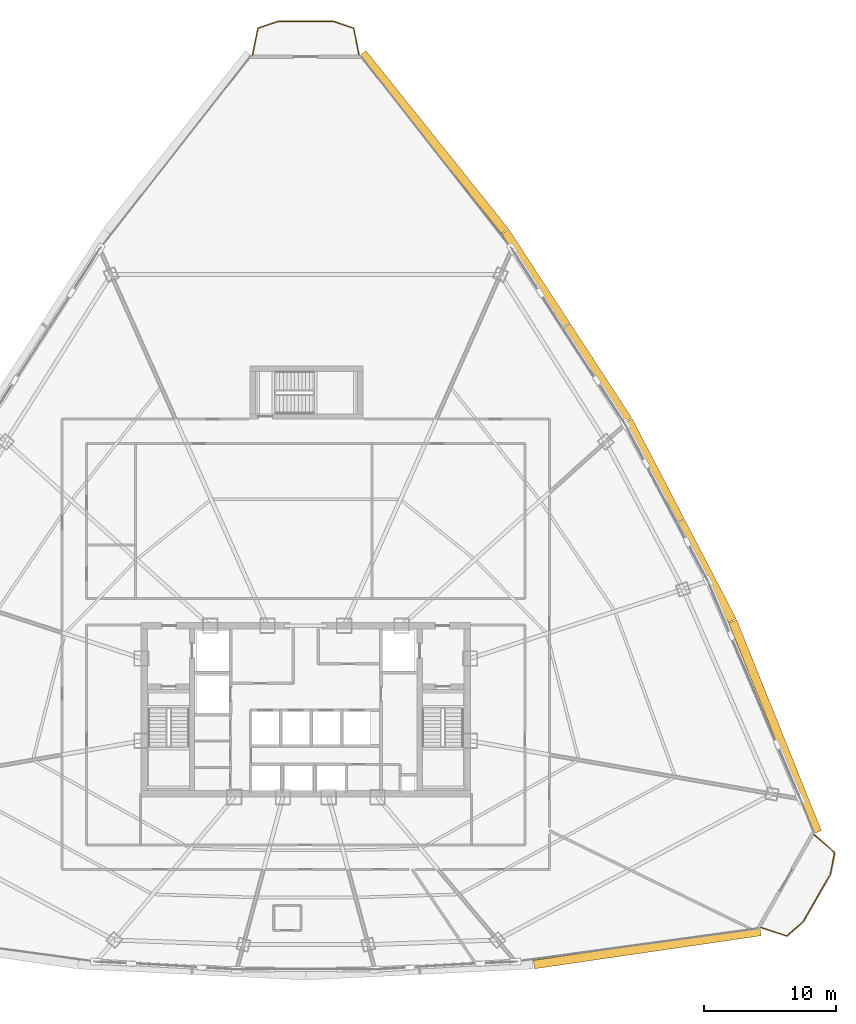
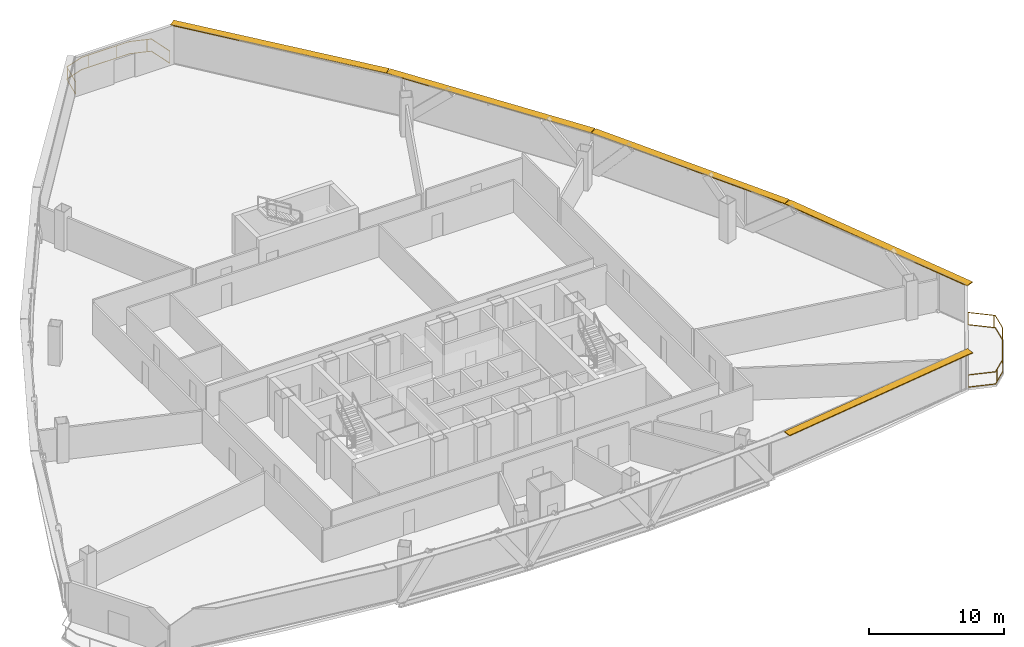
# One storey, part 37 of 37: 5 shading devices, 2 railings.
"""IFC4 building model written with IfcOpenShell, lengths in metres."""

from ifc_helpers import new_model, si_unit, direction, frame, origin, origin_2d, place, context, subcontext, project, spatial, rectangle, extrude, source, transform, mapped, material, layer, layer_set, type_object, element, save


model = new_model("IFC4")

# Units and contexts
model_context = context("Model", 3, precision=1e-05, world=origin(), true_north=direction((0.0, 1.0)))
body_context = subcontext(model_context, "Body", "Model", "MODEL_VIEW")
ifc_project = project(units=[si_unit("LENGTHUNIT", "METRE"), si_unit("AREAUNIT", "SQUARE_METRE"), si_unit("VOLUMEUNIT", "CUBIC_METRE"), si_unit("PLANEANGLEUNIT", "RADIAN"), si_unit("MASSUNIT", "GRAM", prefix="KILO"), si_unit("THERMODYNAMICTEMPERATUREUNIT", "KELVIN"), si_unit("POWERUNIT", "WATT")], contexts=[model_context])

# Site, building, storey
site_placement = place(None, origin())
site = spatial("IfcSite", under=ifc_project, at=site_placement, CompositionType="ELEMENT")
building_placement = place(site_placement, origin())
building = spatial("IfcBuilding", under=site, at=building_placement, Name="Yunzhuo Pagoda Commons", CompositionType="ELEMENT")
storey_placement = place(building_placement, frame((0.0, 0.0, 192.360107421875)))
storey = spatial("IfcBuildingStorey", under=building, at=storey_placement, Name="L48", CompositionType="ELEMENT", Elevation=192.360107421875)

# Railings
ifc_material = material(Name="Anodized aluminium 6063-T6", Category="aluminium")
railing_type = type_object("IfcRailingType", Name="RL-BAL1 Exterior Terrace & Balcony Balustrade 1150", PredefinedType="BALUSTRADE", material=ifc_material)
railing_1_placement = place(storey_placement, frame((82.3671875, 17.419677734375, 0.0)))
element("IfcRailing", 1, at=railing_1_placement, inside=storey, type_object=railing_type, Name="L48 corner balcony balustrade V2", PredefinedType="BALUSTRADE", context=body_context, shape_type="SweptSolid", body=[
    extrude(rectangle(XDim=0.048095703125, YDim=0.048095703125, at=origin_2d()), frame((0.0, 0.0, 1.1259765625), z_axis=(0.947419062147, -0.319995501031, 0.0), x_axis=(0.319995501031, 0.947419062147, 0.0)), (0.0, 0.0, 1.0), 2.05908203125),
    extrude(rectangle(XDim=0.048095703125, YDim=0.048095703125, at=origin_2d()), frame((0.0, 0.0, 0.02392578125), z_axis=(0.947419062147, -0.319995501031, 0.0), x_axis=(0.319995501031, 0.947419062147, 0.0)), (0.0, 0.0, 1.0), 2.05908203125),
    extrude(rectangle(XDim=0.048095703125, YDim=0.048095703125, at=origin_2d()), frame((1.950927734375, -0.658935546875, 1.1259765625), z_axis=(0.748072290348, 0.663617245416, 0.0), x_axis=(-0.663617245416, 0.748072290348, 0.0)), (0.0, 0.0, 1.0), 1.6650390625),
    extrude(rectangle(XDim=0.048095703125, YDim=0.048095703125, at=origin_2d()), frame((1.950927734375, -0.658935546875, 0.02392578125), z_axis=(0.748072290348, 0.663617245416, 0.0), x_axis=(-0.663617245416, 0.748072290348, 0.0)), (0.0, 0.0, 1.0), 1.6650390625),
    extrude(rectangle(XDim=0.048095703125, YDim=0.048095703125, at=origin_2d()), frame((3.196533203125, 0.446044921875, 1.1259765625), z_axis=(0.497919550018, 0.867223224844, 0.0), x_axis=(-0.867223224844, 0.497919550018, 0.0)), (0.0, 0.0, 1.0), 4.1171875),
    extrude(rectangle(XDim=0.048095703125, YDim=0.048095703125, at=origin_2d()), frame((3.196533203125, 0.446044921875, 0.02392578125), z_axis=(0.497919550018, 0.867223224844, 0.0), x_axis=(-0.867223224844, 0.497919550018, 0.0)), (0.0, 0.0, 1.0), 4.1171875),
    extrude(rectangle(XDim=0.048095703125, YDim=0.048095703125, at=origin_2d()), frame((5.24658203125, 4.0166015625, 1.1259765625), z_axis=(0.196031545686, 0.980597589787, 0.0), x_axis=(-0.980597589787, 0.196031545686, 0.0)), (0.0, 0.0, 1.0), 1.6650390625),
    extrude(rectangle(XDim=0.048095703125, YDim=0.048095703125, at=origin_2d()), frame((5.24658203125, 4.0166015625, 0.02392578125), z_axis=(0.196031545686, 0.980597589787, 0.0), x_axis=(-0.980597589787, 0.196031545686, 0.0)), (0.0, 0.0, 1.0), 1.6650390625),
    extrude(rectangle(XDim=0.048095703125, YDim=0.048095703125, at=origin_2d()), frame((5.572998046875, 5.6494140625, 1.1259765625), z_axis=(-0.753933830692, 0.656950362614, 0.0), x_axis=(-0.656950362614, -0.753933830692, 0.0)), (0.0, 0.0, 1.0), 2.05908203125),
    extrude(rectangle(XDim=0.048095703125, YDim=0.048095703125, at=origin_2d()), frame((5.572998046875, 5.6494140625, 0.02392578125), z_axis=(-0.753933830692, 0.656950362614, 0.0), x_axis=(-0.656950362614, -0.753933830692, 0.0)), (0.0, 0.0, 1.0), 2.05908203125),
    extrude(rectangle(XDim=0.0419921875, YDim=0.0419921875, at=origin_2d()), origin(), (0.0, 0.0, 1.0), 1.101806640625),
    extrude(rectangle(XDim=0.0419921875, YDim=0.0419921875, at=origin_2d()), frame((2.205810546875, -0.432861328125, 0.0)), (0.0, 0.0, 1.0), 1.101806640625),
    extrude(rectangle(XDim=0.0419921875, YDim=0.0419921875, at=origin_2d()), frame((3.732177734375, 1.37890625, 0.0)), (0.0, 0.0, 1.0), 1.101806640625),
    extrude(rectangle(XDim=0.0419921875, YDim=0.0419921875, at=origin_2d()), frame((4.92724609375, 3.460205078125, 0.0)), (0.0, 0.0, 1.0), 1.101806640625),
    extrude(rectangle(XDim=0.0419921875, YDim=0.0419921875, at=origin_2d()), frame((5.502685546875, 5.710693359375, 0.0)), (0.0, 0.0, 1.0), 1.101806640625),
    extrude(rectangle(XDim=0.0419921875, YDim=0.0419921875, at=origin_2d()), frame((4.0205078125, 7.002197265625, 0.0)), (0.0, 0.0, 1.0), 1.101806640625),
])
railing_2_placement = place(storey_placement, frame((52.02001953125, 83.297607421875, 0.0)))
element("IfcRailing", 2, at=railing_2_placement, inside=storey, type_object=railing_type, Name="L48 corner balcony balustrade V3", PredefinedType="BALUSTRADE", context=body_context, shape_type="SweptSolid", body=[
    extrude(rectangle(XDim=0.048095703125, YDim=0.048095703125, at=origin_2d()), frame((0.0, 0.0, 1.1259765625), z_axis=(-0.194223156668, 0.980957371864, 0.0), x_axis=(-0.980957371864, -0.194223156668, 0.0)), (0.0, 0.0, 1.0), 2.05908203125),
    extrude(rectangle(XDim=0.048095703125, YDim=0.048095703125, at=origin_2d()), frame((0.0, 0.0, 0.02392578125), z_axis=(-0.194223156668, 0.980957371864, 0.0), x_axis=(-0.980957371864, -0.194223156668, 0.0)), (0.0, 0.0, 1.0), 2.05908203125),
    extrude(rectangle(XDim=0.048095703125, YDim=0.048095703125, at=origin_2d()), frame((-0.39990234375, 2.019775390625, 1.1259765625), z_axis=(-0.947468283032, 0.319849734483, 0.0), x_axis=(-0.319849734483, -0.947468283032, 0.0)), (0.0, 0.0, 1.0), 1.6572265625),
    extrude(rectangle(XDim=0.048095703125, YDim=0.048095703125, at=origin_2d()), frame((-0.39990234375, 2.019775390625, 0.02392578125), z_axis=(-0.947468283032, 0.319849734483, 0.0), x_axis=(-0.319849734483, -0.947468283032, 0.0)), (0.0, 0.0, 1.0), 1.6572265625),
    extrude(rectangle(XDim=0.048095703125, YDim=0.048095703125, at=origin_2d()), frame((-1.969970703125, 2.5498046875, 1.1259765625), z_axis=(-1.0, 0.0, 0.0), x_axis=(0.0, -1.0, 0.0)), (0.0, 0.0, 1.0), 4.10009765625),
    extrude(rectangle(XDim=0.048095703125, YDim=0.048095703125, at=origin_2d()), frame((-1.969970703125, 2.5498046875, 0.02392578125), z_axis=(-1.0, 0.0, 0.0), x_axis=(0.0, -1.0, 0.0)), (0.0, 0.0, 1.0), 4.10009765625),
    extrude(rectangle(XDim=0.048095703125, YDim=0.048095703125, at=origin_2d()), frame((-6.070068359375, 2.5498046875, 1.1259765625), z_axis=(-0.947468283032, -0.319849734483, 0.0), x_axis=(0.319849734483, -0.947468283032, 0.0)), (0.0, 0.0, 1.0), 1.6572265625),
    extrude(rectangle(XDim=0.048095703125, YDim=0.048095703125, at=origin_2d()), frame((-6.070068359375, 2.5498046875, 0.02392578125), z_axis=(-0.947468283032, -0.319849734483, 0.0), x_axis=(0.319849734483, -0.947468283032, 0.0)), (0.0, 0.0, 1.0), 1.6572265625),
    extrude(rectangle(XDim=0.048095703125, YDim=0.048095703125, at=origin_2d()), frame((-7.64013671875, 2.019775390625, 1.1259765625), z_axis=(-0.194223156668, -0.980957371864, 0.0), x_axis=(0.980957371864, -0.194223156668, 0.0)), (0.0, 0.0, 1.0), 2.05908203125),
    extrude(rectangle(XDim=0.048095703125, YDim=0.048095703125, at=origin_2d()), frame((-7.64013671875, 2.019775390625, 0.02392578125), z_axis=(-0.194223156668, -0.980957371864, 0.0), x_axis=(0.980957371864, -0.194223156668, 0.0)), (0.0, 0.0, 1.0), 2.05908203125),
    extrude(rectangle(XDim=0.0419921875, YDim=0.0419921875, at=origin_2d()), origin(), (0.0, 0.0, 1.0), 1.101806640625),
    extrude(rectangle(XDim=0.0419921875, YDim=0.0419921875, at=origin_2d()), frame((-0.722900390625, 2.12890625, 0.0)), (0.0, 0.0, 1.0), 1.101806640625),
    extrude(rectangle(XDim=0.0419921875, YDim=0.0419921875, at=origin_2d()), frame((-3.053955078125, 2.5498046875, 0.0)), (0.0, 0.0, 1.0), 1.101806640625),
    extrude(rectangle(XDim=0.0419921875, YDim=0.0419921875, at=origin_2d()), frame((-5.453857421875, 2.5498046875, 0.0)), (0.0, 0.0, 1.0), 1.101806640625),
    extrude(rectangle(XDim=0.0419921875, YDim=0.0419921875, at=origin_2d()), frame((-7.664794921875, 1.8955078125, 0.0)), (0.0, 0.0, 1.0), 1.101806640625),
    extrude(rectangle(XDim=0.0419921875, YDim=0.0419921875, at=origin_2d()), frame((-8.0400390625, 0.0, 0.0)), (0.0, 0.0, 1.0), 1.101806640625),
])

# Shading devices
ifc_layer = layer(ifc_material, 0.080078125)
ifc_layer_set = layer_set([ifc_layer], Name="Anodized aluminium 6063-T6")
shading_device_type = type_object("IfcShadingDeviceType", Name="SH-SUN1 Pagoda Horizontal Sunshade Eave 650", PredefinedType="USERDEFINED", material=ifc_layer_set)
shared_shape_1 = source(origin(), body_context, "Body", "SweptSolid", [
    extrude(rectangle(XDim=17.3056640625, YDim=0.64990234375, at=origin_2d()), origin(), (0.0, 0.0, 1.0), 0.080078125),
])
shading_device_1_placement = place(storey_placement, frame((73.780029296875, 15.860107421875, 3.4599609375), z_axis=(0.0, 0.0, 1.0), x_axis=(0.989510666697, 0.144459823108, 0.0)))
element("IfcShadingDevice", 3, at=shading_device_1_placement, inside=storey, type_object=shading_device_type, Name="L48 horizontal pagoda sunshade eave F1.4", ObjectType="SUNSHADE", PredefinedType="USERDEFINED", context=body_context, shape_type="MappedRepresentation", body=[
    mapped(shared_shape_1, transform((0.0, 0.0, 0.0), scale=1.0)),
])
shared_shape_2 = source(origin(), body_context, "Body", "SweptSolid", [
    extrude(rectangle(XDim=17.16650390625, YDim=0.64990234375, at=origin_2d()), origin(), (0.0, 0.0, 1.0), 0.080078125),
])
for number, where, z_axis, x_axis, name in (
    (4, (83.441162109375, 32.56298828125, 3.4599609375), (0.0, 0.0, 1.0), (-0.372987782576, 0.927836253899, 0.0), "L48 horizontal pagoda sunshade eave F2.1"),
    (5, (57.660400390625, 76.728271484375, 3.4599609375), (0.0, 0.0, 1.0), (-0.624520471688, 0.781008438138, 0.0), "L48 horizontal pagoda sunshade eave F2.4"),
):
    element("IfcShadingDevice", number, at=place(storey_placement, frame(where, z_axis=z_axis, x_axis=x_axis)), inside=storey, type_object=shading_device_type, Name=name, ObjectType="SUNSHADE", PredefinedType="USERDEFINED", context=body_context, shape_type="MappedRepresentation", body=[
        mapped(shared_shape_2, transform((0.0, 0.0, 0.0), scale=1.0)),
    ])
shared_shape_3 = source(origin(), body_context, "Body", "SweptSolid", [
    extrude(rectangle(XDim=17.003662109375, YDim=0.64990234375, at=origin_2d()), origin(), (0.0, 0.0, 1.0), 0.080078125),
])
shading_device_2_placement = place(storey_placement, frame((76.292236328125, 48.1279296875, 3.4599609375), z_axis=(0.0, 0.0, 1.0), x_axis=(-0.461206683033, 0.88729273384, 0.0)))
element("IfcShadingDevice", 6, at=shading_device_2_placement, inside=storey, type_object=shading_device_type, Name="L48 horizontal pagoda sunshade eave F2.2", ObjectType="SUNSHADE", PredefinedType="USERDEFINED", context=body_context, shape_type="MappedRepresentation", body=[
    mapped(shared_shape_3, transform((0.0, 0.0, 0.0), scale=1.0)),
])
shared_shape_4 = source(origin(), body_context, "Body", "SweptSolid", [
    extrude(rectangle(XDim=17.00341796875, YDim=0.64990234375, at=origin_2d()), origin(), (0.0, 0.0, 1.0), 0.080078125),
])
shading_device_3_placement = place(storey_placement, frame((67.698486328125, 62.849853515625, 3.4599609375), z_axis=(0.0, 0.0, 1.0), x_axis=(-0.545838756973, 0.837890238269, 0.0)))
element("IfcShadingDevice", 7, at=shading_device_3_placement, inside=storey, type_object=shading_device_type, Name="L48 horizontal pagoda sunshade eave F2.3", ObjectType="SUNSHADE", PredefinedType="USERDEFINED", context=body_context, shape_type="MappedRepresentation", body=[
    mapped(shared_shape_4, transform((0.0, 0.0, 0.0), scale=1.0)),
])

save(model, "model.ifc")
